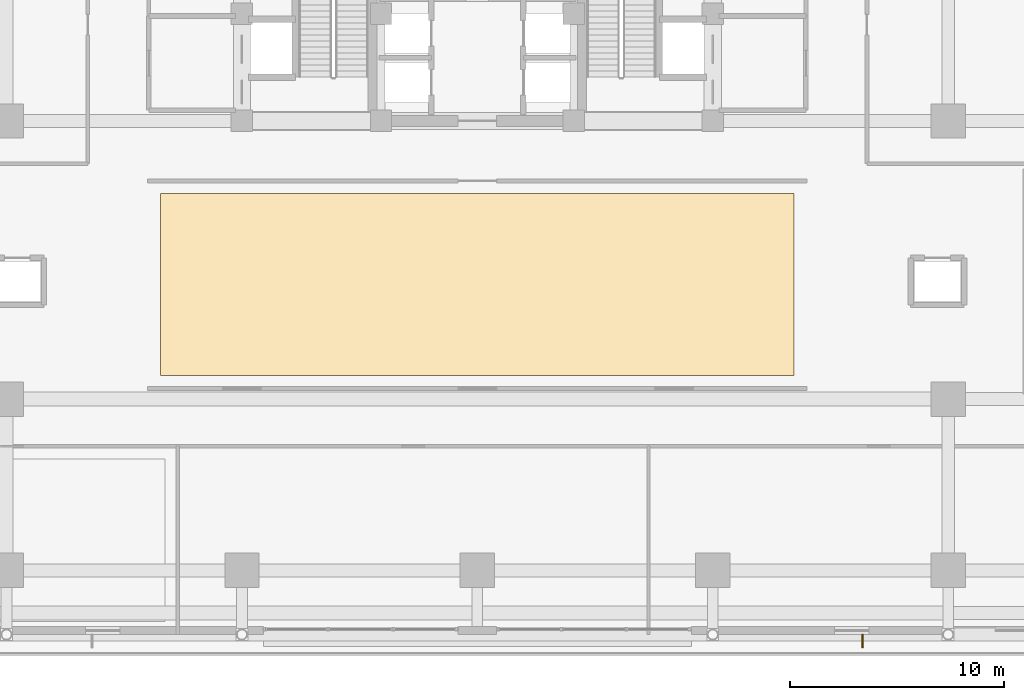
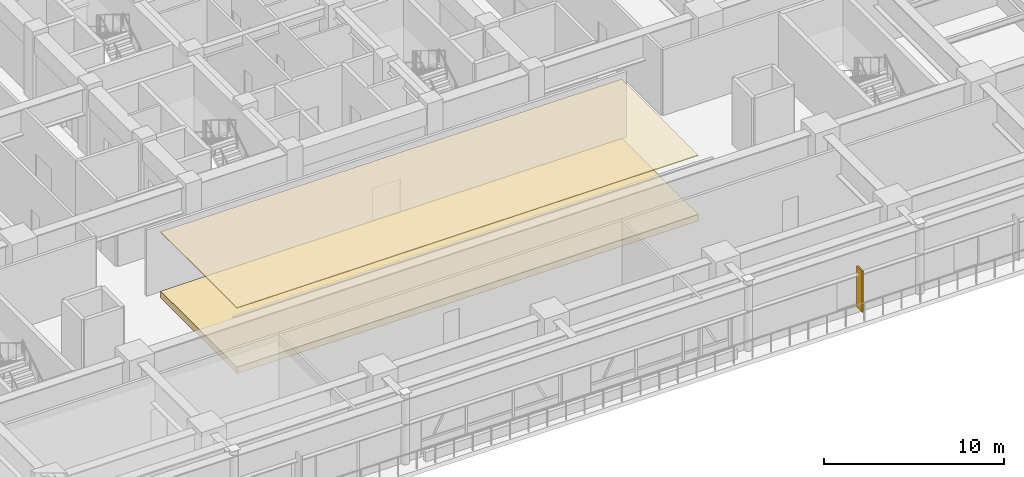
# One storey, part 33 of 38: 2 coverings, 1 shading device.
"""IFC4 building model written with IfcOpenShell, lengths in metres."""

from ifc_helpers import new_model, si_unit, direction, frame, origin, origin_2d, place, context, subcontext, project, spatial, polyline, rectangle, outline, extrude, source, transform, mapped, material, layer, layer_set, type_object, element, save


model = new_model("IFC4")

# Units and contexts
model_context = context("Model", 3, precision=1e-05, world=origin(), true_north=direction((0.0, 1.0)))
body_context = subcontext(model_context, "Body", "Model", "MODEL_VIEW")
ifc_project = project(units=[si_unit("LENGTHUNIT", "METRE"), si_unit("AREAUNIT", "SQUARE_METRE"), si_unit("VOLUMEUNIT", "CUBIC_METRE"), si_unit("PLANEANGLEUNIT", "RADIAN"), si_unit("MASSUNIT", "GRAM", prefix="KILO")], contexts=[model_context])

# Site, building, storey
site_placement = place(None, origin())
site = spatial("IfcSite", under=ifc_project, at=site_placement, CompositionType="ELEMENT")
building_placement = place(site_placement, origin())
building = spatial("IfcBuilding", under=site, at=building_placement, Name="Khorayat Bourse Tower", CompositionType="ELEMENT")
storey_placement = place(building_placement, frame((0.0, 0.0, 17.39990234375)))
storey = spatial("IfcBuildingStorey", under=building, at=storey_placement, Name="L03", CompositionType="ELEMENT", Elevation=17.39990234375)

# Coverings
ifc_material_1 = material(Name="Perforated aluminium acoustic ceiling", Category="aluminium")
ifc_layer_1 = layer(ifc_material_1, 0.06005859375)
ifc_layer_set_1 = layer_set([ifc_layer_1], Name="Perforated aluminium acoustic ceiling")
covering_type_1 = type_object("IfcCoveringType", Name="COV-CEIL-BAFFLE", PredefinedType="CEILING", material=ifc_layer_set_1)
covering_1_placement = place(storey_placement, frame((0.0, 0.0, 4.420166015625)))
element("IfcCovering", 1, at=covering_1_placement, inside=storey, type_object=covering_type_1, Name="L03 Suspended Ceiling 1", PredefinedType="CEILING", context=body_context, shape_type="SweptSolid", body=[
    extrude(outline(polyline([(-14.800048828125, -22.89990234375), (14.800048828125, -22.89990234375), (14.800048828125, -14.39990234375), (-14.800048828125, -14.39990234375), (-14.800048828125, -22.89990234375)])), origin(), (0.0, 0.0, 1.0), 0.059814453125),
])
ifc_material_2 = material(Name="Calcium-sulphate raised access floor")
ifc_layer_2 = layer(ifc_material_2, 0.449951171875)
ifc_layer_set_2 = layer_set([ifc_layer_2], Name="Calcium-sulphate raised access floor")
covering_type_2 = type_object("IfcCoveringType", Name="COV-RAF-TRADING", PredefinedType="FLOORING", material=ifc_layer_set_2)
covering_2_placement = place(storey_placement, origin())
element("IfcCovering", 2, at=covering_2_placement, inside=storey, type_object=covering_type_2, Name="L03 Raised Access Floor 1", PredefinedType="FLOORING", context=body_context, shape_type="SweptSolid", body=[
    extrude(outline(polyline([(-14.800048828125, -22.89990234375), (14.800048828125, -22.89990234375), (14.800048828125, -14.39990234375), (-14.800048828125, -14.39990234375), (-14.800048828125, -22.89990234375)])), origin(), (0.0, 0.0, 1.0), 0.4501953125),
])

# Shading device
ifc_material_3 = material(Name="Anodised champagne aluminium", Category="aluminium")
ifc_layer_3 = layer(ifc_material_3, 0.080078125)
ifc_layer_set_3 = layer_set([ifc_layer_3], Name="Anodised champagne aluminium")
shading_device_type = type_object("IfcShadingDeviceType", Name="SHD-MASHRABIYA-FIN", PredefinedType="USERDEFINED", material=ifc_layer_set_3)
shared_shape = source(origin(), body_context, "Body", "SweptSolid", [
    extrude(rectangle(XDim=0.080078125, YDim=0.64990234375, at=origin_2d()), origin(), (0.0, 0.0, 1.0), 2.800048828125),
])
shading_device_placement = place(storey_placement, frame((18.0, -35.300048828125, 0.39990234375), z_axis=(0.0, 0.0, 1.0), x_axis=(1.0, 0.0, 0.0)))
element("IfcShadingDevice", 3, at=shading_device_placement, inside=storey, type_object=shading_device_type, Name="L03 Mashrabiya Vertical Shading Fin 3", ObjectType="FIN", PredefinedType="USERDEFINED", context=body_context, shape_type="MappedRepresentation", body=[
    mapped(shared_shape, transform((0.0, 0.0, 0.0), scale=1.0)),
])

save(model, "model.ifc")
